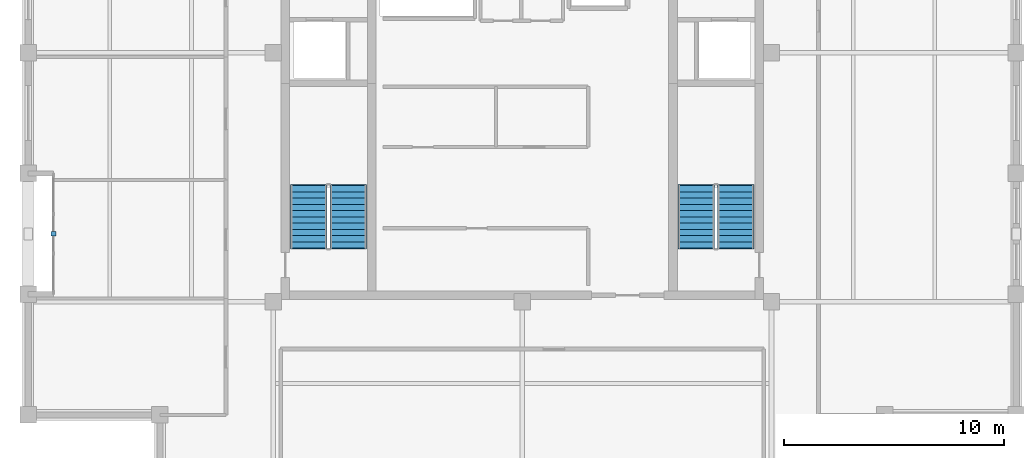
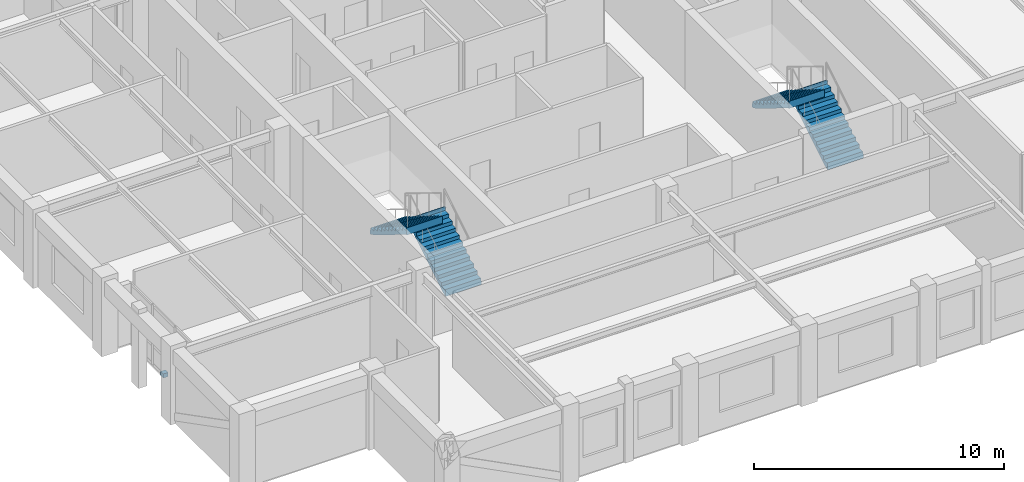
# One storey, part 9 of 10: 4 stair flights, 1 discrete accessory, 2 elements without a shape of their own.
"""IFC4 building model written with IfcOpenShell, lengths in metres."""

from ifc_helpers import new_model, si_unit, direction, frame, origin, origin_2d, place, context, subcontext, project, spatial, polyline, rectangle, outline, extrude, material, type_object, element, aggregate, save


model = new_model("IFC4")

# Units and contexts
model_context = context("Model", 3, precision=1e-05, world=origin(), true_north=direction((0.0, 1.0)))
body_context = subcontext(model_context, "Body", "Model", "MODEL_VIEW")
ifc_project = project(units=[si_unit("LENGTHUNIT", "METRE"), si_unit("AREAUNIT", "SQUARE_METRE"), si_unit("VOLUMEUNIT", "CUBIC_METRE"), si_unit("PLANEANGLEUNIT", "RADIAN"), si_unit("MASSUNIT", "GRAM", prefix="KILO")], contexts=[model_context])

# Site, building, storey
site_placement = place(None, origin())
site = spatial("IfcSite", under=ifc_project, at=site_placement, CompositionType="ELEMENT")
building_placement = place(site_placement, origin())
building = spatial("IfcBuilding", under=site, at=building_placement, Name="Nhamokura Convention Tower", CompositionType="ELEMENT")
storey_placement = place(building_placement, frame((0.0, 0.0, 304.5)))
storey = spatial("IfcBuildingStorey", under=building, at=storey_placement, Name="L75", CompositionType="ELEMENT", Elevation=304.5)

# Stair, stair flights
ifc_material_1 = material(Name="Concrete C40/50", Category="concrete")
stair_type = type_object("IfcStairType", Name="TowerCoreStair_1650", PredefinedType="HALF_TURN_STAIR", material=ifc_material_1)
stair_1_placement = place(storey_placement, origin())
stair_1 = element("IfcStair", 1, at=stair_1_placement, inside=storey, type_object=stair_type, Name="L75 West Core Smokeproof Stair ST-01", PredefinedType="HALF_TURN_STAIR")
ifc_material_2 = material(Name="Concrete C40/50", Category="concrete")
stair_flight_type = type_object("IfcStairFlightType", Name="TowerCoreStair_1650_Flight", PredefinedType="STRAIGHT", material=ifc_material_2)
stair_flight_1_placement = place(storey_placement, frame((24.074951171875, 23.10009765625, 0.0), z_axis=(0.0, 0.0, 1.0), x_axis=(0.0, 1.0, 0.0)))
stair_flight_1 = element("IfcStairFlight", 2, at=stair_flight_1_placement, type_object=stair_flight_type, Name="ST-01 flight 1", NumberOfRisers=11, NumberOfTreads=10, PredefinedType="STRAIGHT", RiserHeight=0.175, TreadLength=0.285, context=body_context, shape_type="SweptSolid", body=[
    extrude(outline(polyline([(-0.0419921875, 0.0), (0.0, 0.175048828125), (0.284912109375, 0.175048828125), (0.284912109375, 0.35009765625), (0.570068359375, 0.35009765625), (0.570068359375, 0.52490234375), (0.85498046875, 0.52490234375), (0.85498046875, 0.699951171875), (1.139892578125, 0.699951171875), (1.139892578125, 0.875), (1.425048828125, 0.875), (1.425048828125, 1.050048828125), (1.7099609375, 1.050048828125), (1.7099609375, 1.22509765625), (1.9951171875, 1.22509765625), (1.9951171875, 1.39990234375), (2.280029296875, 1.39990234375), (2.280029296875, 1.574951171875), (2.56494140625, 1.574951171875), (2.56494140625, 1.75), (2.85009765625, 1.75), (2.85009765625, 1.925048828125), (2.89208984375, 1.925048828125), (2.89208984375, 1.573974609375), (2.85009765625, 1.573974609375), (0.286376953125, 0.0), (0.02001953125, -0.1298828125), (-0.0419921875, -0.1298828125), (-0.0419921875, 0.0)])), frame((0.0, 0.824951171875, 0.0), z_axis=(0.0, -1.0, 0.0), x_axis=(1.0, 0.0, 0.0)), (0.0, 0.0, 1.0), 1.64990234375),
])
stair_flight_2_placement = place(storey_placement, frame((22.27490234375, 25.949951171875, 1.925048828125), z_axis=(0.0, 0.0, 1.0), x_axis=(0.0, -1.0, 0.0)))
stair_flight_2 = element("IfcStairFlight", 3, at=stair_flight_2_placement, type_object=stair_flight_type, Name="ST-01 flight 2", NumberOfRisers=11, NumberOfTreads=10, PredefinedType="STRAIGHT", RiserHeight=0.175, TreadLength=0.285, context=body_context, shape_type="SweptSolid", body=[
    extrude(outline(polyline([(-0.0419921875, 0.0), (0.0, 0.175048828125), (0.284912109375, 0.175048828125), (0.284912109375, 0.35009765625), (0.570068359375, 0.35009765625), (0.570068359375, 0.52490234375), (0.85498046875, 0.52490234375), (0.85498046875, 0.699951171875), (1.139892578125, 0.699951171875), (1.139892578125, 0.875), (1.425048828125, 0.875), (1.425048828125, 1.050048828125), (1.7099609375, 1.050048828125), (1.7099609375, 1.22509765625), (1.9951171875, 1.22509765625), (1.9951171875, 1.39990234375), (2.280029296875, 1.39990234375), (2.280029296875, 1.574951171875), (2.56494140625, 1.574951171875), (2.56494140625, 1.75), (2.85009765625, 1.75), (2.85009765625, 1.925048828125), (2.89208984375, 1.925048828125), (2.89208984375, 1.573974609375), (2.85009765625, 1.573974609375), (0.286376953125, 0.0), (0.02001953125, -0.1298828125), (-0.0419921875, -0.1298828125), (-0.0419921875, 0.0)])), frame((0.0, 0.824951171875, 0.0), z_axis=(0.0, -1.0, 0.0), x_axis=(1.0, 0.0, 0.0)), (0.0, 0.0, 1.0), 1.64990234375),
])
aggregate(stair_1, [stair_flight_1, stair_flight_2])

stair_2_placement = place(storey_placement, origin())
stair_2 = element("IfcStair", 4, at=stair_2_placement, inside=storey, type_object=stair_type, Name="L75 East Core Smokeproof Stair ST-02", PredefinedType="HALF_TURN_STAIR")
stair_flight_3_placement = place(storey_placement, frame((41.72509765625, 23.10009765625, 0.0), z_axis=(0.0, 0.0, 1.0), x_axis=(0.0, 1.0, 0.0)))
stair_flight_3 = element("IfcStairFlight", 5, at=stair_flight_3_placement, type_object=stair_flight_type, Name="ST-02 flight 1", NumberOfRisers=11, NumberOfTreads=10, PredefinedType="STRAIGHT", RiserHeight=0.175, TreadLength=0.285, context=body_context, shape_type="SweptSolid", body=[
    extrude(outline(polyline([(-0.0419921875, 0.0), (0.0, 0.175048828125), (0.284912109375, 0.175048828125), (0.284912109375, 0.35009765625), (0.570068359375, 0.35009765625), (0.570068359375, 0.52490234375), (0.85498046875, 0.52490234375), (0.85498046875, 0.699951171875), (1.139892578125, 0.699951171875), (1.139892578125, 0.875), (1.425048828125, 0.875), (1.425048828125, 1.050048828125), (1.7099609375, 1.050048828125), (1.7099609375, 1.22509765625), (1.9951171875, 1.22509765625), (1.9951171875, 1.39990234375), (2.280029296875, 1.39990234375), (2.280029296875, 1.574951171875), (2.56494140625, 1.574951171875), (2.56494140625, 1.75), (2.85009765625, 1.75), (2.85009765625, 1.925048828125), (2.89208984375, 1.925048828125), (2.89208984375, 1.573974609375), (2.85009765625, 1.573974609375), (0.286376953125, 0.0), (0.02001953125, -0.1298828125), (-0.0419921875, -0.1298828125), (-0.0419921875, 0.0)])), frame((0.0, 0.824951171875, 0.0), z_axis=(0.0, -1.0, 0.0), x_axis=(1.0, 0.0, 0.0)), (0.0, 0.0, 1.0), 1.64990234375),
])
stair_flight_4_placement = place(storey_placement, frame((39.925048828125, 25.949951171875, 1.925048828125), z_axis=(0.0, 0.0, 1.0), x_axis=(0.0, -1.0, 0.0)))
stair_flight_4 = element("IfcStairFlight", 6, at=stair_flight_4_placement, type_object=stair_flight_type, Name="ST-02 flight 2", NumberOfRisers=11, NumberOfTreads=10, PredefinedType="STRAIGHT", RiserHeight=0.175, TreadLength=0.285, context=body_context, shape_type="SweptSolid", body=[
    extrude(outline(polyline([(-0.0419921875, 0.0), (0.0, 0.175048828125), (0.284912109375, 0.175048828125), (0.284912109375, 0.35009765625), (0.570068359375, 0.35009765625), (0.570068359375, 0.52490234375), (0.85498046875, 0.52490234375), (0.85498046875, 0.699951171875), (1.139892578125, 0.699951171875), (1.139892578125, 0.875), (1.425048828125, 0.875), (1.425048828125, 1.050048828125), (1.7099609375, 1.050048828125), (1.7099609375, 1.22509765625), (1.9951171875, 1.22509765625), (1.9951171875, 1.39990234375), (2.280029296875, 1.39990234375), (2.280029296875, 1.574951171875), (2.56494140625, 1.574951171875), (2.56494140625, 1.75), (2.85009765625, 1.75), (2.85009765625, 1.925048828125), (2.89208984375, 1.925048828125), (2.89208984375, 1.573974609375), (2.85009765625, 1.573974609375), (0.286376953125, 0.0), (0.02001953125, -0.1298828125), (-0.0419921875, -0.1298828125), (-0.0419921875, 0.0)])), frame((0.0, 0.824951171875, 0.0), z_axis=(0.0, -1.0, 0.0), x_axis=(1.0, 0.0, 0.0)), (0.0, 0.0, 1.0), 1.64990234375),
])
aggregate(stair_2, [stair_flight_3, stair_flight_4])

# Discrete accessory
ifc_material_3 = material(Name="Steel ASTM A572 Gr 50", Category="steel")
discrete_accessory_type = type_object("IfcDiscreteAccessoryType", Name="FacadeOutstandBracket", PredefinedType="BRACKET", material=ifc_material_3)
discrete_accessory_placement = place(storey_placement, frame((10.64990234375, 23.75, -0.02001953125), z_axis=(0.0, 0.0, 1.0), x_axis=(1.0, 0.0, 0.0)))
element("IfcDiscreteAccessory", 7, at=discrete_accessory_placement, inside=storey, type_object=discrete_accessory_type, Name="L75 Scale Slot Base Shoe Bracket WEST 1", PredefinedType="BRACKET", context=body_context, shape_type="SweptSolid", body=[
    extrude(rectangle(XDim=0.219970703125, YDim=0.219970703125, at=origin_2d()), origin(), (0.0, 0.0, 1.0), 0.199951171875),
])

save(model, "model.ifc")
